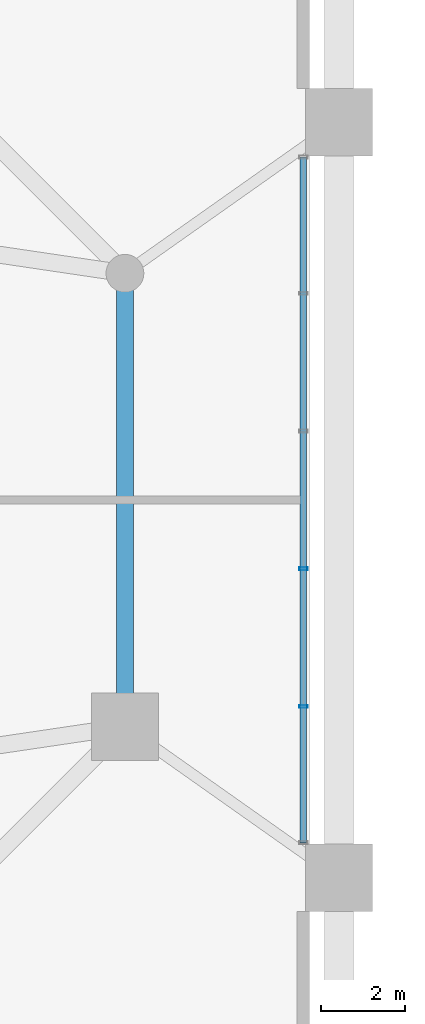
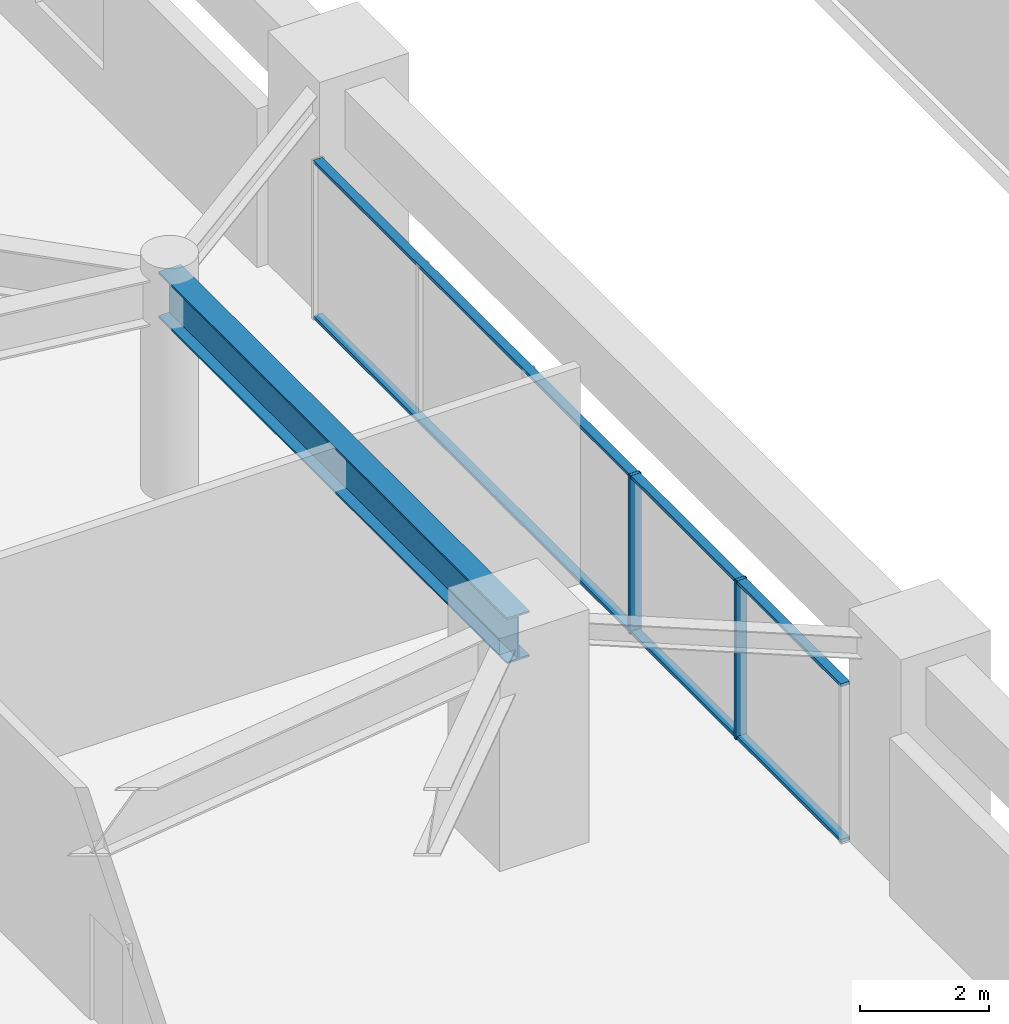
# One storey, part 10 of 22: 4 members, 1 beam, 1 element without a shape of its own.
"""IFC4 building model written with IfcOpenShell, lengths in metres."""

import ifcopenshell
import ifcopenshell.guid

model = None  # the IFC model being written
_history = None  # IfcOwnerHistory: only IFC2X3 demands one
_inside = {}  # id of a spatial element -> (the spatial element, [elements in it])
_under = {}  # id of a project, library or spatial element -> (it, [spatial elements below it])
_declared = {}  # id of a project -> (the project, [libraries it declares])
_typed = {}  # id of a type object -> (the type object, [elements of that type])
_made_of = {}  # id of a material, layer set ... -> (it, [elements and type objects made of it])


def new_model(schema):
    """Start an empty IFC model of exactly this schema.

    Asked for "IFC4X3", IfcOpenShell would pick the latest addendum, in which some entities
    have other attributes; the version numbers below select the first issue.
    IFC2X3 requires an IfcOwnerHistory on every rooted entity: one is made here for all.
    """
    global model, _history
    if schema == "IFC4X3":
        model = ifcopenshell.file(schema_version=(4, 3, 0, 0))
    else:
        model = ifcopenshell.file(schema=schema)
    _inside.clear()
    _under.clear()
    _declared.clear()
    _typed.clear()
    _made_of.clear()
    _history = None
    if model.schema == "IFC2X3":
        org = make("IfcOrganization", Name="unknown")
        user = make(
            "IfcPersonAndOrganization",
            ThePerson=make("IfcPerson", FamilyName="unknown"),
            TheOrganization=org,
        )
        app = make(
            "IfcApplication",
            ApplicationDeveloper=org,
            Version="unknown",
            ApplicationFullName="unknown",
            ApplicationIdentifier="unknown",
        )
        _history = make(
            "IfcOwnerHistory",
            OwningUser=user,
            OwningApplication=app,
            ChangeAction="ADDED",
            CreationDate=0,
        )
    return model


def make(cls, **values):
    """One entity of the class cls with the attributes given. An attribute that is None is left unset."""
    return model.create_entity(
        cls, **{name: value for name, value in values.items() if value is not None}
    )


def rooted(cls, **values):
    """An entity with a GlobalId (a new one), such as an element, a storey or a relation."""
    return make(cls, GlobalId=ifcopenshell.guid.new(), OwnerHistory=_history, **values)


def si_unit(unit_type, name, prefix=None):
    """IfcSIUnit, for example si_unit("LENGTHUNIT", "METRE", prefix="MILLI")."""
    return make("IfcSIUnit", UnitType=unit_type, Prefix=prefix, Name=name)


def assignment(units):
    """IfcUnitAssignment: the units of a project."""
    return None if units is None else make("IfcUnitAssignment", Units=units)


def point(xyz):
    """IfcCartesianPoint."""
    return None if xyz is None else make("IfcCartesianPoint", Coordinates=xyz)


def direction(xyz):
    """IfcDirection."""
    return None if xyz is None else make("IfcDirection", DirectionRatios=xyz)


def frame(location, z_axis=None, x_axis=None):
    """IfcAxis2Placement3D, a coordinate frame: its origin and axes. An axis left out is left unset."""
    return make(
        "IfcAxis2Placement3D",
        Location=point(location),
        Axis=direction(z_axis),
        RefDirection=direction(x_axis),
    )


def frame_2d(location, x_axis=None):
    """IfcAxis2Placement2D, a coordinate frame in the plane: its origin and x axis."""
    return make(
        "IfcAxis2Placement2D", Location=point(location), RefDirection=direction(x_axis)
    )


def origin():
    """The frame at (0, 0, 0) with its axes left unset."""
    return frame((0.0, 0.0, 0.0))


def origin_2d():
    """The frame at (0, 0) in the plane with its x axis left unset."""
    return frame_2d((0.0, 0.0))


def place(relative_to, where):
    """IfcLocalPlacement: puts the frame where relative to a parent placement (None: the world)."""
    return make(
        "IfcLocalPlacement", PlacementRelTo=relative_to, RelativePlacement=where
    )


def context(
    kind, dimensions, precision=None, world=None, true_north=None, identifier=None
):
    """IfcGeometricRepresentationContext, for example the 3D "Model" context."""
    return make(
        "IfcGeometricRepresentationContext",
        ContextIdentifier=identifier,
        ContextType=kind,
        CoordinateSpaceDimension=dimensions,
        Precision=precision,
        WorldCoordinateSystem=world,
        TrueNorth=true_north,
    )


def subcontext(parent, identifier, kind, view, scale=None):
    """IfcGeometricRepresentationSubContext, for example "Body" below "Model"."""
    return make(
        "IfcGeometricRepresentationSubContext",
        ContextIdentifier=identifier,
        ContextType=kind,
        ParentContext=parent,
        TargetScale=scale,
        TargetView=view,
    )


def project(units=None, contexts=None):
    """IfcProject with its units and contexts."""
    return rooted(
        "IfcProject",
        Name="project",
        RepresentationContexts=contexts,
        UnitsInContext=assignment(units),
    )


def spatial(cls, under=None, at=None, **own):
    """A site, building, storey or space (cls), placed at a placement, below another one or the project."""
    s = rooted(cls, ObjectPlacement=at, **own)
    if under is not None:
        _under.setdefault(under.id(), (under, []))[1].append(s)
    return s


def profile(cls, at=None, kind="AREA", **sizes):
    """A parametric profile (cls). Its sizes go by their IFC names, for example OverallWidth=200.0."""
    return make(cls, ProfileType=kind, Position=at, **sizes)


def hollow_rectangle(**sizes):
    """IfcRectangleHollowProfileDef."""
    return profile("IfcRectangleHollowProfileDef", **sizes)


def i_section(**sizes):
    """IfcIShapeProfileDef."""
    return profile("IfcIShapeProfileDef", **sizes)


def extrude(swept, where, along, depth):
    """IfcExtrudedAreaSolid: the profile swept, set in the frame where, extruded along a direction by depth."""
    return make(
        "IfcExtrudedAreaSolid",
        SweptArea=swept,
        Position=where,
        ExtrudedDirection=direction(along),
        Depth=depth,
    )


def shape(context_of_items, identifier, shape_type, items):
    """IfcShapeRepresentation: the items that make up one representation, for example the "Body"."""
    return make(
        "IfcShapeRepresentation",
        ContextOfItems=context_of_items,
        RepresentationIdentifier=identifier,
        RepresentationType=shape_type,
        Items=items,
    )


def source(mapping_origin, context_of_items, identifier, shape_type, items):
    """IfcRepresentationMap: a shape defined once, which mapped items show again and again."""
    return make(
        "IfcRepresentationMap",
        MappingOrigin=mapping_origin,
        MappedRepresentation=shape(context_of_items, identifier, shape_type, items),
    )


def transform(
    local_origin,
    x_axis=None,
    y_axis=None,
    z_axis=None,
    scale=None,
    scale2=None,
    scale3=None,
    uniform=True,
):
    """IfcCartesianTransformationOperator3D, or its non-uniform kind. x_axis, y_axis, z_axis: its Axis1, 2, 3."""
    if uniform:
        return make(
            "IfcCartesianTransformationOperator3D",
            Axis1=direction(x_axis),
            Axis2=direction(y_axis),
            LocalOrigin=point(local_origin),
            Scale=scale,
            Axis3=direction(z_axis),
        )
    return make(
        "IfcCartesianTransformationOperator3DnonUniform",
        Axis1=direction(x_axis),
        Axis2=direction(y_axis),
        LocalOrigin=point(local_origin),
        Scale=scale,
        Axis3=direction(z_axis),
        Scale2=scale2,
        Scale3=scale3,
    )


def mapped(mapping_source, mapping_target):
    """IfcMappedItem: shows the shape of a source again, moved by a transform."""
    return make(
        "IfcMappedItem", MappingSource=mapping_source, MappingTarget=mapping_target
    )


def material(Name=None, Category=None):
    """IfcMaterial."""
    return make("IfcMaterial", Name=Name, Category=Category)


def layer(
    of_material, thickness, ventilated=None, Name=None, Category=None, Priority=None
):
    """IfcMaterialLayer: one layer of a wall or slab, of a material (None: an air gap)."""
    return make(
        "IfcMaterialLayer",
        Material=of_material,
        LayerThickness=thickness,
        IsVentilated=ventilated,
        Name=Name,
        Category=Category,
        Priority=Priority,
    )


def layer_set(layers, Name=None):
    """IfcMaterialLayerSet."""
    return make("IfcMaterialLayerSet", MaterialLayers=layers, LayerSetName=Name)


def material_profile(
    of_material, cross_section, Name=None, Category=None, Priority=None
):
    """IfcMaterialProfile: a cross section and its material."""
    return make(
        "IfcMaterialProfile",
        Name=Name,
        Material=of_material,
        Profile=cross_section,
        Priority=Priority,
        Category=Category,
    )


def profile_set(profiles, Name=None, composite=None):
    """IfcMaterialProfileSet."""
    return make(
        "IfcMaterialProfileSet",
        Name=Name,
        MaterialProfiles=profiles,
        CompositeProfile=composite,
    )


def made_of(thing, what):
    """Note that an element or type object is made of a material, layer set ...; save() writes the relation."""
    if what is not None:
        _made_of.setdefault(what.id(), (what, []))[1].append(thing)
    return thing


def type_object(cls, material=None, **own):
    """A type object (cls), such as IfcWallType, which elements share."""
    return made_of(rooted(cls, **own), material)


def element(
    cls,
    number,
    at=None,
    inside=None,
    cuts=None,
    type_object=None,
    material=None,
    context=None,
    identifier="Body",
    shape_type=None,
    held_by="IfcProductDefinitionShape",
    body=None,
    shapes=None,
    **own,
):
    """One element of the class cls, such as IfcWall. Its Tag is "e" and its number.

    at: its placement. inside: the storey or other place that contains it. cuts: it is an
    opening in that element (IfcRelVoidsElement). A single representation is given by context,
    identifier, shape_type and body (its items); several are given by shapes. held_by: the class
    of the entity that holds the representations. save() writes the other relations.
    """
    e = rooted(cls, Tag="e%d" % number, ObjectPlacement=at, **own)
    if body is not None:
        shapes = [shape(context, identifier, shape_type, body)]
    if shapes is not None:
        e.Representation = make(held_by, Representations=shapes)
    if inside is not None:
        _inside.setdefault(inside.id(), (inside, []))[1].append(e)
    if cuts is not None:
        rooted(
            "IfcRelVoidsElement", RelatingBuildingElement=cuts, RelatedOpeningElement=e
        )
    if type_object is not None:
        _typed.setdefault(type_object.id(), (type_object, []))[1].append(e)
    return made_of(e, material)


def aggregate(whole, parts):
    """IfcRelAggregates: a whole, such as a stair, and the parts it consists of."""
    return rooted("IfcRelAggregates", RelatingObject=whole, RelatedObjects=parts)


def save(model, path):
    """Write the relations noted so far, then the file.

    IfcRelAggregates (storeys below a building ...), IfcRelContainedInSpatialStructure (elements
    in a storey), IfcRelDefinesByType, IfcRelAssociatesMaterial and IfcRelDeclares: one each for
    every whole, place, type object, material and project.
    """
    for whole, parts in _under.values():
        aggregate(whole, parts)
    for where, things in _inside.values():
        rooted(
            "IfcRelContainedInSpatialStructure",
            RelatedElements=things,
            RelatingStructure=where,
        )
    for kind, things in _typed.values():
        rooted("IfcRelDefinesByType", RelatedObjects=things, RelatingType=kind)
    for what, things in _made_of.values():
        rooted("IfcRelAssociatesMaterial", RelatedObjects=things, RelatingMaterial=what)
    for by, libraries in _declared.values():
        rooted("IfcRelDeclares", RelatingContext=by, RelatedDefinitions=libraries)
    model.write(path)


model = new_model("IFC4")

# Units and contexts
model_context = context("Model", 3, precision=1e-05, world=origin(), true_north=direction((0.0, 1.0)))
body_context = subcontext(model_context, "Body", "Model", "MODEL_VIEW")
ifc_project = project(units=[si_unit("LENGTHUNIT", "METRE"), si_unit("AREAUNIT", "SQUARE_METRE"), si_unit("VOLUMEUNIT", "CUBIC_METRE"), si_unit("PLANEANGLEUNIT", "RADIAN"), si_unit("MASSUNIT", "GRAM", prefix="KILO")], contexts=[model_context])

# Site, building, storey
site_placement = place(None, origin())
site = spatial("IfcSite", under=ifc_project, at=site_placement, CompositionType="ELEMENT")
building_placement = place(site_placement, origin())
building = spatial("IfcBuilding", under=site, at=building_placement, Name="Veraguas Prism Commons", CompositionType="ELEMENT")
storey_placement = place(building_placement, frame((0.0, 0.0, 5.199951171875)))
storey = spatial("IfcBuildingStorey", under=building, at=storey_placement, Name="L01", CompositionType="ELEMENT", Elevation=5.199951171875)

# Beam
ifc_material_1 = material(Name="Steel ASTM A992 Grade 50", Category="steel")
ifc_material_profile_1 = material_profile(ifc_material_1, i_section(OverallWidth=0.403076171875, OverallDepth=0.867919921875, WebThickness=0.02099609375, FlangeThickness=0.03564453125, at=origin_2d()), Name="W840X359")
ifc_profile_set_1 = profile_set([ifc_material_profile_1], Name="Steel ASTM A992 Grade 50")
beam_type = type_object("IfcBeamType", Name="Concourse Primary Girder W840x359", PredefinedType="BEAM", material=ifc_profile_set_1)
beam_placement = place(storey_placement, frame((41.60009765625, 18.60009765625, 3.666015625), z_axis=(0.0, 1.0, 0.0), x_axis=(-1.0, 0.0, 0.0)))
element("IfcBeam", 1, at=beam_placement, inside=storey, type_object=beam_type, Name="Concourse Ring Girder L01-TMH01", PredefinedType="BEAM", context=body_context, shape_type="SweptSolid", body=[
    extrude(i_section(OverallWidth=0.403076171875, OverallDepth=0.867919921875, WebThickness=0.02099609375, FlangeThickness=0.03564453125, at=origin_2d()), origin(), (0.0, 0.0, 1.0), 10.7998046875),
])

# Curtain wall, members
ifc_material_2 = material(Name="Anodised aluminium EN AW-6063 T6", Category="aluminium")
ifc_layer = layer(ifc_material_2, 0.199951171875, Name="Metro Concourse Structural Glazing", Category="aluminium")
ifc_layer_set = layer_set([ifc_layer], Name="Anodised aluminium EN AW-6063 T6")
curtain_wall_type = type_object("IfcCurtainWallType", Name="Metro Concourse Structural Glazing", PredefinedType="NOTDEFINED", material=ifc_layer_set)
curtain_wall_placement = place(storey_placement, origin())
curtain_wall = element("IfcCurtainWall", 2, at=curtain_wall_placement, inside=storey, type_object=curtain_wall_type, Name="Plaza Concourse Curtain Wall L01-E02", PredefinedType="NOTDEFINED")
ifc_material_profile_2 = material_profile(ifc_material_2, hollow_rectangle(XDim=0.06005859375, YDim=0.159912109375, WallThickness=0.0029296875, at=origin_2d()), Name="AL60X160X3")
ifc_profile_set_2 = profile_set([ifc_material_profile_2], Name="Anodised aluminium EN AW-6063 T6")
member_type_1 = type_object("IfcMemberType", Name="Curtain Wall Transom Heavy AL 60x160x3", PredefinedType="USERDEFINED", material=ifc_profile_set_2)
shared_shape_1 = source(origin(), body_context, "Body", "SweptSolid", [
    extrude(hollow_rectangle(XDim=0.06005859375, YDim=0.159912109375, WallThickness=0.0029296875, at=origin_2d()), origin(), (0.0, 0.0, 1.0), 16.3349609375),
])
member_1_placement = place(storey_placement, frame((45.85009765625, 15.83251953125, 0.030029296875), z_axis=(0.0, 1.0, 0.0), x_axis=(0.0, 0.0, 1.0)))
member_1 = element("IfcMember", 3, at=member_1_placement, type_object=member_type_1, Name="CW-STN Transom 1", ObjectType="TRANSOM", PredefinedType="USERDEFINED", context=body_context, shape_type="MappedRepresentation", body=[
    mapped(shared_shape_1, transform((0.0, 0.0, 0.0), scale=1.0)),
])
member_2_placement = place(storey_placement, frame((45.85009765625, 15.83251953125, 2.969970703125), z_axis=(0.0, 1.0, 0.0), x_axis=(0.0, 0.0, 1.0)))
member_2 = element("IfcMember", 4, at=member_2_placement, type_object=member_type_1, Name="CW-STN Transom 2", ObjectType="TRANSOM", PredefinedType="USERDEFINED", context=body_context, shape_type="MappedRepresentation", body=[
    mapped(shared_shape_1, transform((0.0, 0.0, 0.0), scale=1.0)),
])
ifc_material_profile_3 = material_profile(ifc_material_2, hollow_rectangle(XDim=0.06494140625, YDim=0.199951171875, WallThickness=0.00390625, at=origin_2d()), Name="AL65X200X4")
ifc_profile_set_3 = profile_set([ifc_material_profile_3], Name="Anodised aluminium EN AW-6063 T6")
member_type_2 = type_object("IfcMemberType", Name="Curtain Wall Mullion Heavy AL 65x200x4", PredefinedType="MULLION", material=ifc_profile_set_3)
shared_shape_2 = source(origin(), body_context, "Body", "SweptSolid", [
    extrude(hollow_rectangle(XDim=0.06494140625, YDim=0.199951171875, WallThickness=0.00390625, at=origin_2d()), origin(), (0.0, 0.0, 1.0), 3.0),
])
member_3_placement = place(storey_placement, frame((45.85009765625, 19.080078125, 0.0), z_axis=(0.0, 0.0, 1.0), x_axis=(0.0, 1.0, 0.0)))
member_3 = element("IfcMember", 5, at=member_3_placement, type_object=member_type_2, Name="CW-STN Mullion 2", PredefinedType="MULLION", context=body_context, shape_type="MappedRepresentation", body=[
    mapped(shared_shape_2, transform((0.0, 0.0, 0.0), scale=1.0)),
])
member_4_placement = place(storey_placement, frame((45.85009765625, 22.360107421875, 0.0), z_axis=(0.0, 0.0, 1.0), x_axis=(0.0, 1.0, 0.0)))
member_4 = element("IfcMember", 6, at=member_4_placement, type_object=member_type_2, Name="CW-STN Mullion 3", PredefinedType="MULLION", context=body_context, shape_type="MappedRepresentation", body=[
    mapped(shared_shape_2, transform((0.0, 0.0, 0.0), scale=1.0)),
])
aggregate(curtain_wall, [member_3, member_4, member_1, member_2])

save(model, "model.ifc")
